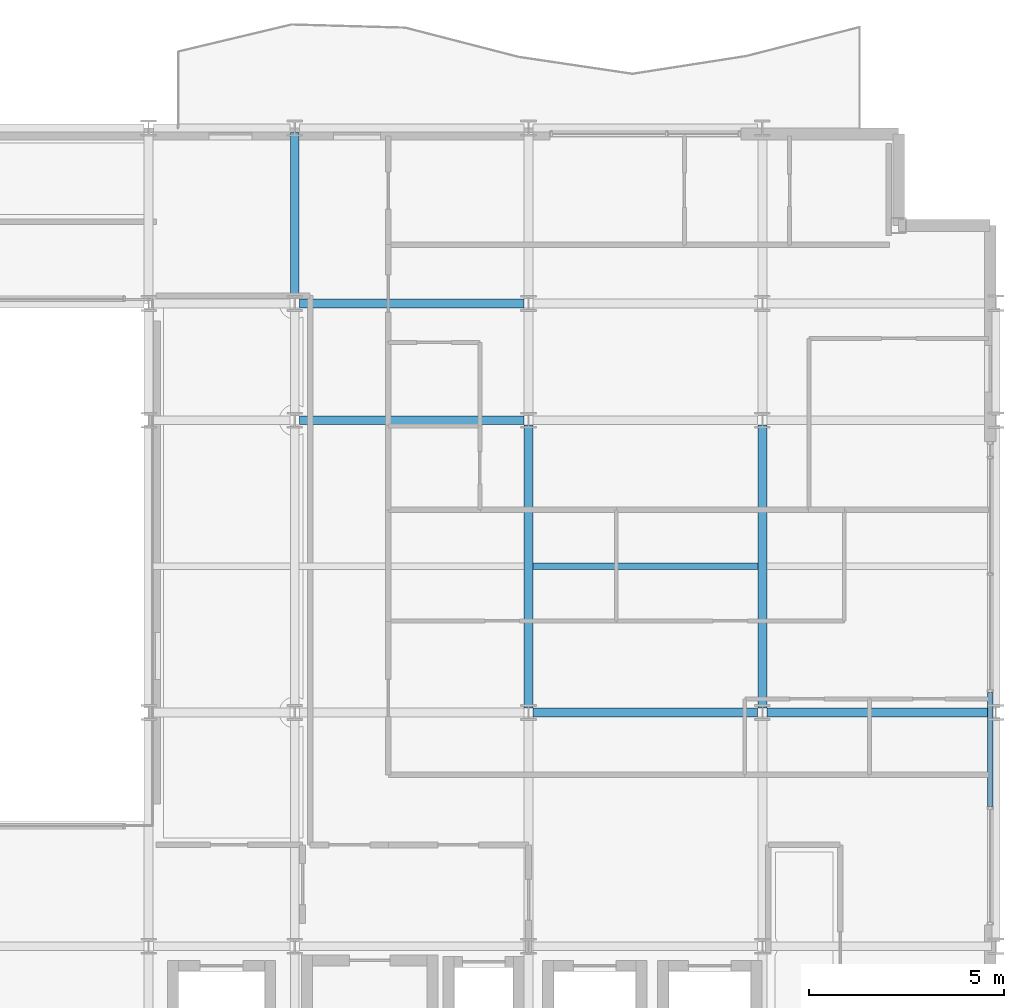
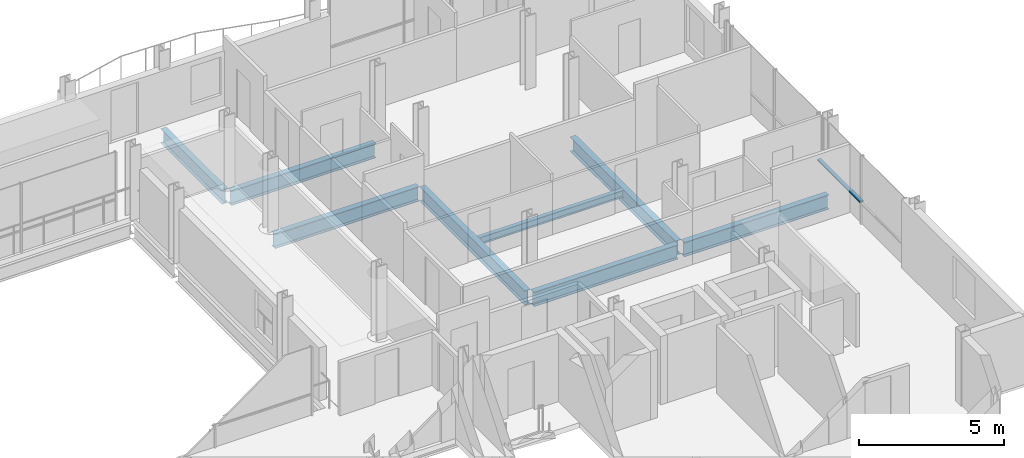
# One storey, part 20 of 41: 8 beams, 1 member, 1 element without a shape of its own.
"""IFC4 building model written with IfcOpenShell, lengths in metres."""

from ifc_helpers import new_model, si_unit, direction, frame, origin, origin_2d, place, context, subcontext, project, spatial, hollow_rectangle, i_section, extrude, material, layer, layer_set, material_profile, profile_set, type_object, element, aggregate, save


model = new_model("IFC4")

# Units and contexts
model_context = context("Model", 3, precision=1e-05, world=origin(), true_north=direction((0.0, 1.0)))
body_context = subcontext(model_context, "Body", "Model", "MODEL_VIEW")
ifc_project = project(units=[si_unit("LENGTHUNIT", "METRE"), si_unit("AREAUNIT", "SQUARE_METRE"), si_unit("VOLUMEUNIT", "CUBIC_METRE"), si_unit("PLANEANGLEUNIT", "RADIAN"), si_unit("MASSUNIT", "GRAM", prefix="KILO")], contexts=[model_context])

# Site, building, storey
site_placement = place(None, origin())
site = spatial("IfcSite", under=ifc_project, at=site_placement, CompositionType="ELEMENT")
building_placement = place(site_placement, origin())
building = spatial("IfcBuilding", under=site, at=building_placement, Name="Brevholm Reach", CompositionType="ELEMENT")
storey_placement = place(building_placement, frame((0.0, 0.0, 144.89990234375)))
storey = spatial("IfcBuildingStorey", under=building, at=storey_placement, Name="L43", CompositionType="ELEMENT", Elevation=144.89990234375)

# Beams
ifc_material_1 = material(Name="Structural Steel S355J2", Category="steel")
ifc_material_profile_1 = material_profile(ifc_material_1, i_section(OverallWidth=0.1650390625, OverallDepth=0.303466796875, WebThickness=0.006103515625, FlangeThickness=0.01025390625, FilletRadius=0.0087890625, at=origin_2d()), Name="UKB 305x165x40")
ifc_profile_set_1 = profile_set([ifc_material_profile_1], Name="Structural Steel S355J2")
beam_type_1 = type_object("IfcBeamType", Name="BM-B305", PredefinedType="BEAM", material=ifc_profile_set_1)
beam_1_placement = place(storey_placement, frame((48.114501953125, 19.75, -0.37158203125), z_axis=(1.0, 0.0, 0.0), x_axis=(0.0, 1.0, 0.0)))
element("IfcBeam", 1, at=beam_1_placement, inside=storey, type_object=beam_type_1, Name="L43 Composite Secondary Floor Beam", PredefinedType="BEAM", context=body_context, shape_type="SweptSolid", body=[
    extrude(i_section(OverallWidth=0.1650390625, OverallDepth=0.303466796875, WebThickness=0.006103515625, FlangeThickness=0.01025390625, FilletRadius=0.0087890625, at=origin_2d()), origin(), (0.0, 0.0, 1.0), 5.77099609375),
])
ifc_material_2 = material(Name="Structural Steel S355J2", Category="steel")
ifc_material_profile_2 = material_profile(ifc_material_2, i_section(OverallWidth=0.22900390625, OverallDepth=0.6123046875, WebThickness=0.011962890625, FlangeThickness=0.01953125, FilletRadius=0.0126953125, at=origin_2d()), Name="UKB 610x229x125")
ifc_profile_set_2 = profile_set([ifc_material_profile_2], Name="Structural Steel S355J2")
beam_type_2 = type_object("IfcBeamType", Name="BM-SP610", PredefinedType="SPANDREL", material=ifc_profile_set_2)
for number, where, z_axis, x_axis, name in (
    (2, (48.1201171875, 16.0, -0.526123046875), (1.0, 0.0, 0.0), (0.0, 1.0, 0.0), "L43 SP-01 Framing Beam"),
    (3, (54.1201171875, 16.0, -0.526123046875), (1.0, 0.0, 0.0), (0.0, 1.0, 0.0), "L43 SP-01 Framing Beam"),
    (4, (42.1201171875, 23.5, -0.526123046875), (1.0, 0.0, 0.0), (0.0, 1.0, 0.0), "L43 SP-01 Framing Beam"),
    (5, (42.1201171875, 26.5, -0.526123046875), (1.0, 0.0, 0.0), (0.0, 1.0, 0.0), "L43 SP-01 Framing Beam"),
):
    element("IfcBeam", number, at=place(storey_placement, frame(where, z_axis=z_axis, x_axis=x_axis)), inside=storey, type_object=beam_type_2, Name=name, PredefinedType="SPANDREL", context=body_context, shape_type="SweptSolid", body=[
        extrude(i_section(OverallWidth=0.22900390625, OverallDepth=0.6123046875, WebThickness=0.011962890625, FlangeThickness=0.01953125, FilletRadius=0.0126953125, at=origin_2d()), origin(), (0.0, 0.0, 1.0), 5.759765625),
    ])
beam_2_placement = place(storey_placement, frame((42.0, 26.6201171875, -0.526123046875), z_axis=(0.0, 1.0, 0.0), x_axis=(-1.0, 0.0, 0.0)))
element("IfcBeam", 6, at=beam_2_placement, inside=storey, type_object=beam_type_2, Name="L43 SP-01 Framing Beam", PredefinedType="SPANDREL", context=body_context, shape_type="SweptSolid", body=[
    extrude(i_section(OverallWidth=0.22900390625, OverallDepth=0.6123046875, WebThickness=0.011962890625, FlangeThickness=0.01953125, FilletRadius=0.0126953125, at=origin_2d()), origin(), (0.0, 0.0, 1.0), 4.259765625),
])
for number, where, z_axis, x_axis, name in (
    (7, (48.0, 16.1201171875, -0.526123046875), (0.0, 1.0, 0.0), (-1.0, 0.0, 0.0), "L43 SP-01 Framing Beam"),
    (8, (54.0, 16.1201171875, -0.526123046875), (0.0, 1.0, 0.0), (-1.0, 0.0, 0.0), "L43 SP-01 Framing Beam"),
):
    element("IfcBeam", number, at=place(storey_placement, frame(where, z_axis=z_axis, x_axis=x_axis)), inside=storey, type_object=beam_type_2, Name=name, PredefinedType="SPANDREL", context=body_context, shape_type="SweptSolid", body=[
        extrude(i_section(OverallWidth=0.22900390625, OverallDepth=0.6123046875, WebThickness=0.011962890625, FlangeThickness=0.01953125, FilletRadius=0.0126953125, at=origin_2d()), origin(), (0.0, 0.0, 1.0), 7.259765625),
    ])

# Curtain wall, member
ifc_material_3 = material(Name="Dark Anodised Aluminium 6063-T6 and Solar-Control Glass", Category="aluminium")
ifc_layer = layer(ifc_material_3, 0.14990234375)
ifc_layer_set = layer_set([ifc_layer], Name="Dark Anodised Aluminium 6063-T6 and Solar-Control Glass")
curtain_wall_type = type_object("IfcCurtainWallType", Name="CW-01", PredefinedType="NOTDEFINED", material=ifc_layer_set)
curtain_wall_placement = place(storey_placement, origin())
curtain_wall = element("IfcCurtainWall", 9, at=curtain_wall_placement, inside=storey, type_object=curtain_wall_type, Name="L43 Curtain Wall CW-01", PredefinedType="NOTDEFINED")
ifc_material_4 = material(Name="Dark Anodised Aluminium 6063-T6", Category="aluminium")
ifc_material_profile_3 = material_profile(ifc_material_4, hollow_rectangle(XDim=0.06494140625, YDim=0.14990234375, WallThickness=0.0048828125, InnerFilletRadius=0.0048828125, OuterFilletRadius=0.010009765625, at=origin_2d()), Name="RHS 150x65x5")
ifc_profile_set_3 = profile_set([ifc_material_profile_3], Name="Dark Anodised Aluminium 6063-T6")
member_type = type_object("IfcMemberType", Name="CWT-150", PredefinedType="NOTDEFINED", material=ifc_profile_set_3)
member_placement = place(storey_placement, frame((59.85009765625, 13.58251953125, 0.900146484375), z_axis=(0.0, 1.0, 0.0), x_axis=(0.0, 0.0, 1.0)))
member = element("IfcMember", 10, at=member_placement, type_object=member_type, Name="CT-150 Transom 2.1", ObjectType="TRANSOM", PredefinedType="USERDEFINED", context=body_context, shape_type="SweptSolid", body=[
    extrude(hollow_rectangle(XDim=0.06494140625, YDim=0.14990234375, WallThickness=0.0048828125, InnerFilletRadius=0.0048828125, OuterFilletRadius=0.010009765625, at=origin_2d()), origin(), (0.0, 0.0, 1.0), 2.93505859375),
])
aggregate(curtain_wall, [member])

save(model, "model.ifc")
